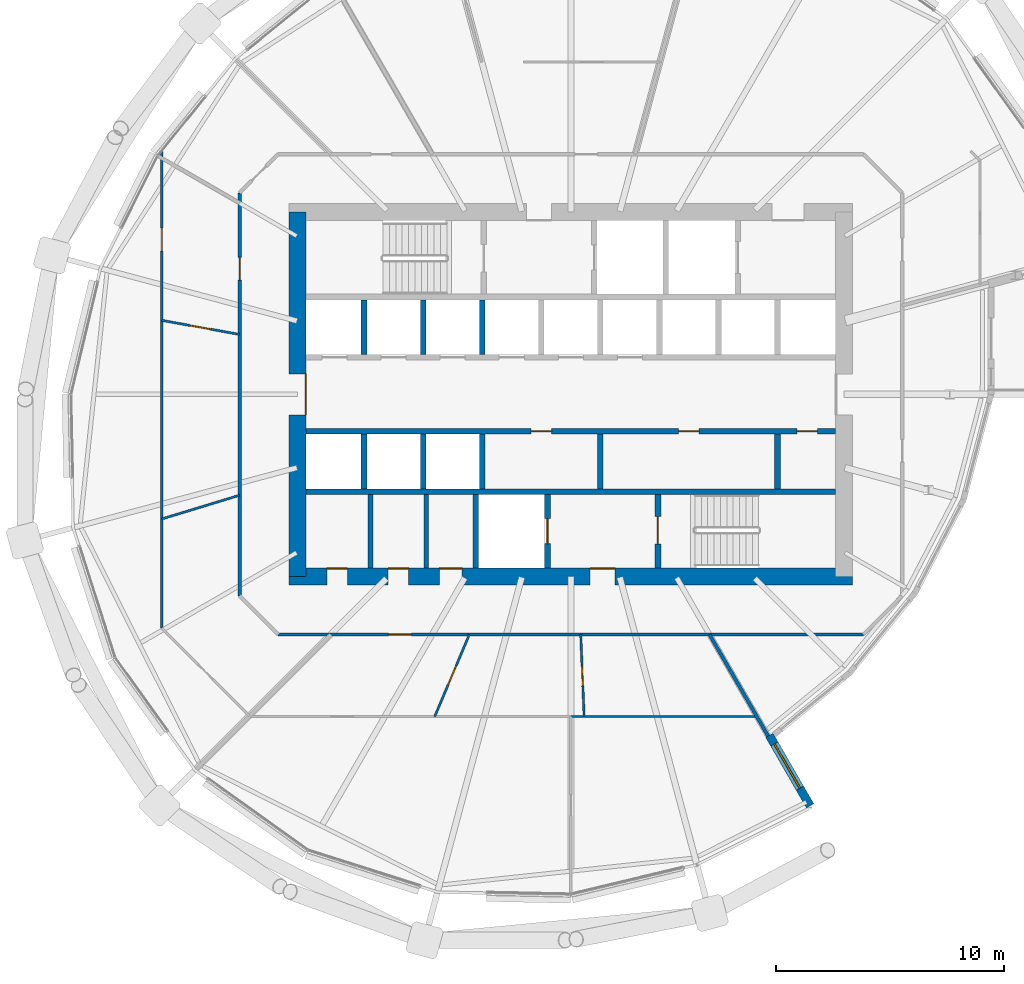
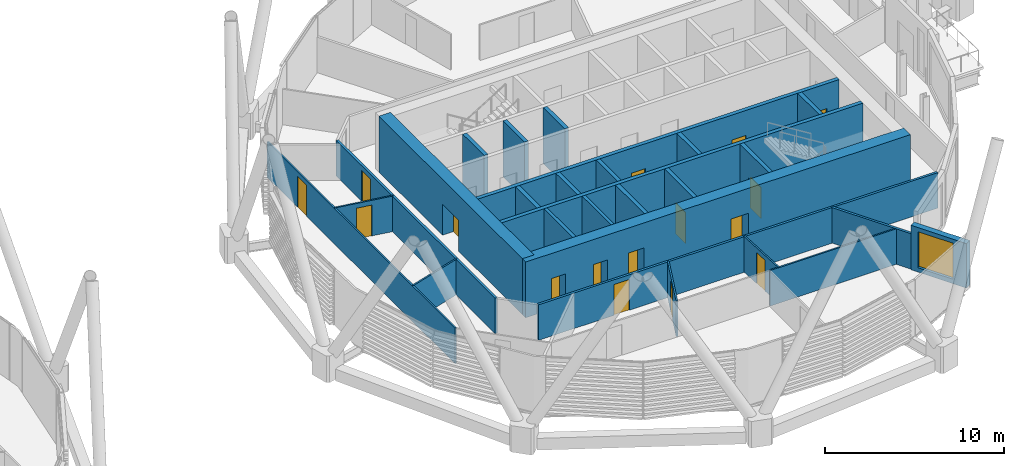
# One storey, part 28 of 38: 27 walls, 16 doors, 1 window, 17 openings.
"""IFC4 building model written with IfcOpenShell, lengths in metres."""

from ifc_helpers import new_model, si_unit, direction, frame, frame_2d, origin, place, context, subcontext, project, spatial, rectangle, extrude, material, layer, layer_set, type_object, element, fill, save


model = new_model("IFC4")

# Units and contexts
model_context = context("Model", 3, precision=1e-05, world=origin(), true_north=direction((0.0, 1.0)))
body_context = subcontext(model_context, "Body", "Model", "MODEL_VIEW")
ifc_project = project(units=[si_unit("LENGTHUNIT", "METRE"), si_unit("AREAUNIT", "SQUARE_METRE"), si_unit("VOLUMEUNIT", "CUBIC_METRE"), si_unit("PLANEANGLEUNIT", "RADIAN"), si_unit("MASSUNIT", "GRAM", prefix="KILO")], contexts=[model_context])

# Site, building, storey
site_placement = place(None, origin())
site = spatial("IfcSite", under=ifc_project, at=site_placement, CompositionType="ELEMENT")
building_placement = place(site_placement, origin())
building = spatial("IfcBuilding", under=site, at=building_placement, Name="Rimbun Link Towers", CompositionType="ELEMENT")
storey_placement = place(building_placement, frame((0.0, 0.0, 104.39990234375)))
storey = spatial("IfcBuildingStorey", under=building, at=storey_placement, Name="L25", CompositionType="ELEMENT", Elevation=104.39990234375)

# Wall, opening, window
ifc_material_1 = material(Name="Dark enamelled glass spandrel on insulated aluminium backpan", Category="aluminium")
ifc_layer_1 = layer(ifc_material_1, 0.3701171875)
ifc_layer_set_1 = layer_set([ifc_layer_1], Name="CS dark enamelled spandrel wall 370")
wall_type_1 = type_object("IfcWallType", Name="CS dark enamelled spandrel wall 370", PredefinedType="STANDARD", material=ifc_layer_set_1)
wall_1_placement = place(storey_placement, frame((40.4716796875, -14.976318359375, 0.0), z_axis=(0.0, 0.0, 1.0), x_axis=(0.500011709085, -0.866018643436, 0.0)))
wall_1 = element("IfcWall", 1, at=wall_1_placement, inside=storey, type_object=wall_type_1, Name="Crease spandrel wall", PredefinedType="STANDARD", context=body_context, shape_type="SweptSolid", body=[
    extrude(rectangle(XDim=3.580078125, YDim=0.3701171875, at=frame_2d((1.7900390625, 0.0))), origin(), (0.0, 0.0, 1.0), 3.027587890625),
])
opening_1_placement = place(wall_1_placement, frame((0.43505859375, 0.0, 0.300048828125)))
opening_1 = element("IfcOpeningElement", 2, at=opening_1_placement, cuts=wall_1, Name="Opening WR22H245", PredefinedType="OPENING", context=body_context, shape_type="SweptSolid", body=[
    extrude(rectangle(XDim=2.25, YDim=2.449951171875, at=frame_2d((1.125, 1.22509765625))), frame((0.0, 0.195068359375, 0.0), z_axis=(0.0, -1.0, 0.0), x_axis=(1.0, 0.0, 0.0)), (0.0, 0.0, 1.0), 0.39013671875),
])
ifc_material_2 = material(Name="Aluminium framed fixed window, dark tinted low-e glass", Category="aluminium")
window_type = type_object("IfcWindowType", Name="WR ribbon window 2250X2450", PartitioningType="SINGLE_PANEL", PredefinedType="WINDOW", material=ifc_material_2)
window_placement = place(opening_1_placement, origin())
window = element("IfcWindow", 3, at=window_placement, inside=storey, type_object=window_type, Name="Crease ribbon window", OverallHeight=2.449951171875, OverallWidth=2.25, PartitioningType="SINGLE_PANEL", PredefinedType="WINDOW", context=body_context, shape_type="SweptSolid", body=[
    extrude(rectangle(XDim=2.25, YDim=2.449951171875, at=frame_2d((1.125, 1.22509765625))), frame((0.0, 0.030029296875, 0.0), z_axis=(0.0, -1.0, 0.0), x_axis=(1.0, 0.0, 0.0)), (0.0, 0.0, 1.0), 0.06005859375),
])
fill(opening_1, window)

# Walls
ifc_material_3 = material(Name="Masonry blockwork", Category="masonry")
ifc_layer_2 = layer(ifc_material_3, 0.199951171875)
ifc_layer_set_2 = layer_set([ifc_layer_2], Name="Core partition 200")
wall_type_2 = type_object("IfcWallType", Name="Core partition 200", PredefinedType="PARTITIONING", material=ifc_layer_set_2)
for number, where, z_axis, x_axis, name in (
    (4, (22.949951171875, -4.39990234375, 0.0), (0.0, 0.0, 1.0), (0.0, -1.0, 0.0), "L25 T2 core wall C1"),
    (5, (25.39990234375, -4.39990234375, 0.0), (0.0, 0.0, 1.0), (0.0, -1.0, 0.0), "L25 T2 core wall C2"),
):
    element("IfcWall", number, at=place(storey_placement, frame(where, z_axis=z_axis, x_axis=x_axis)), inside=storey, type_object=wall_type_2, Name=name, PredefinedType="PARTITIONING", context=body_context, shape_type="SweptSolid", body=[
        extrude(rectangle(XDim=3.22509765625, YDim=0.199951171875, at=frame_2d((1.612548828125, 0.0))), origin(), (0.0, 0.0, 1.0), 3.800048828125),
    ])

# Wall, openings, doors
ifc_material_4 = material(Name="Concrete C60/75", Category="concrete")
ifc_layer_3 = layer(ifc_material_4, 0.75)
ifc_layer_set_3 = layer_set([ifc_layer_3], Name="Core shear wall 750")
wall_type_3 = type_object("IfcWallType", Name="Core shear wall 750", PredefinedType="SHEAR", material=ifc_layer_set_3)
wall_2_placement = place(storey_placement, frame((19.375, -8.0, 0.0), z_axis=(0.0, 0.0, 1.0), x_axis=(1.0, 0.0, 0.0)))
wall_2 = element("IfcWall", 6, at=wall_2_placement, inside=storey, type_object=wall_type_3, Name="L25 T2 core wall S", PredefinedType="SHEAR", context=body_context, shape_type="SweptSolid", body=[
    extrude(rectangle(XDim=24.75, YDim=0.75, at=frame_2d((12.375, 0.0))), origin(), (0.0, 0.0, 1.0), 3.800048828125),
])
opening_2_placement = place(wall_2_placement, frame((13.22509765625, 0.0, 0.0)))
opening_2 = element("IfcOpeningElement", 7, at=opening_2_placement, cuts=wall_2, Name="Opening C2DCF01S", PredefinedType="OPENING", context=body_context, shape_type="SweptSolid", body=[
    extrude(rectangle(XDim=1.10009765625, YDim=2.10009765625, at=frame_2d((0.550048828125, 1.050048828125))), frame((0.0, 0.385009765625, 0.0), z_axis=(0.0, -1.0, 0.0), x_axis=(1.0, 0.0, 0.0)), (0.0, 0.0, 1.0), 0.77001953125),
])
opening_3_placement = place(wall_2_placement, frame((1.66259765625, 0.0, 0.0)))
opening_3 = element("IfcOpeningElement", 8, at=opening_3_placement, cuts=wall_2, Name="Opening C2DWC02S", PredefinedType="OPENING", context=body_context, shape_type="SweptSolid", body=[
    extrude(rectangle(XDim=0.89990234375, YDim=2.10009765625, at=frame_2d((0.449951171875, 1.050048828125))), frame((0.0, 0.385009765625, 0.0), z_axis=(0.0, -1.0, 0.0), x_axis=(1.0, 0.0, 0.0)), (0.0, 0.0, 1.0), 0.77001953125),
])
opening_4_placement = place(wall_2_placement, frame((4.35009765625, 0.0, 0.0)))
opening_4 = element("IfcOpeningElement", 9, at=opening_4_placement, cuts=wall_2, Name="Opening C2DWC03S", PredefinedType="OPENING", context=body_context, shape_type="SweptSolid", body=[
    extrude(rectangle(XDim=0.89990234375, YDim=2.10009765625, at=frame_2d((0.449951171875, 1.050048828125))), frame((0.0, 0.385009765625, 0.0), z_axis=(0.0, -1.0, 0.0), x_axis=(1.0, 0.0, 0.0)), (0.0, 0.0, 1.0), 0.77001953125),
])
opening_5_placement = place(wall_2_placement, frame((6.60009765625, 0.0, 0.0)))
opening_5 = element("IfcOpeningElement", 10, at=opening_5_placement, cuts=wall_2, Name="Opening C2DAW04S", PredefinedType="OPENING", context=body_context, shape_type="SweptSolid", body=[
    extrude(rectangle(XDim=1.0, YDim=2.10009765625, at=frame_2d((0.5, 1.050048828125))), frame((0.0, 0.385009765625, 0.0), z_axis=(0.0, -1.0, 0.0), x_axis=(1.0, 0.0, 0.0)), (0.0, 0.0, 1.0), 0.77001953125),
])
ifc_material_5 = material(Name="Timber", Category="wood")
door_type_1 = type_object("IfcDoorType", Name="Accessible WC door", OperationType="SINGLE_SWING_LEFT", PredefinedType="DOOR", material=ifc_material_5)
door_1_placement = place(opening_5_placement, origin())
door_1 = element("IfcDoor", 11, at=door_1_placement, inside=storey, type_object=door_type_1, Name="L25 T2 accessible wc door", OperationType="SINGLE_SWING_RIGHT", OverallHeight=2.10009765625, OverallWidth=1.0, PredefinedType="DOOR", context=body_context, shape_type="SweptSolid", body=[
    extrude(rectangle(XDim=1.0, YDim=2.10009765625, at=frame_2d((0.5, 1.050048828125))), frame((0.0, 0.375, 0.0), z_axis=(0.0, -1.0, 0.0), x_axis=(1.0, 0.0, 0.0)), (0.0, 0.0, 1.0), 0.050048828125),
])
fill(opening_5, door_1)
ifc_material_6 = material(Name="Steel fire door set", Category="steel")
door_type_2 = type_object("IfcDoorType", Name="Core fire door single", OperationType="SINGLE_SWING_LEFT", PredefinedType="DOOR", material=ifc_material_6)
door_2_placement = place(opening_2_placement, origin())
door_2 = element("IfcDoor", 12, at=door_2_placement, inside=storey, type_object=door_type_2, Name="L25 T2 firefighting lobby s door", OperationType="SINGLE_SWING_LEFT", OverallHeight=2.10009765625, OverallWidth=1.10009765625, PredefinedType="DOOR", context=body_context, shape_type="SweptSolid", body=[
    extrude(rectangle(XDim=1.10009765625, YDim=2.10009765625, at=frame_2d((0.550048828125, 1.050048828125))), frame((0.0, 0.375, 0.0), z_axis=(0.0, -1.0, 0.0), x_axis=(1.0, 0.0, 0.0)), (0.0, 0.0, 1.0), 0.050048828125),
])
fill(opening_2, door_2)
ifc_material_7 = material(Name="Timber", Category="wood")
door_type_3 = type_object("IfcDoorType", Name="WC door", OperationType="SINGLE_SWING_LEFT", PredefinedType="DOOR", material=ifc_material_7)
door_3_placement = place(opening_3_placement, origin())
door_3 = element("IfcDoor", 13, at=door_3_placement, inside=storey, type_object=door_type_3, Name="L25 T2 male wc door", OperationType="SINGLE_SWING_RIGHT", OverallHeight=2.10009765625, OverallWidth=0.89990234375, PredefinedType="DOOR", context=body_context, shape_type="SweptSolid", body=[
    extrude(rectangle(XDim=0.89990234375, YDim=2.10009765625, at=frame_2d((0.449951171875, 1.050048828125))), frame((0.0, 0.375, 0.0), z_axis=(0.0, -1.0, 0.0), x_axis=(1.0, 0.0, 0.0)), (0.0, 0.0, 1.0), 0.050048828125),
])
fill(opening_3, door_3)
door_4_placement = place(opening_4_placement, origin())
door_4 = element("IfcDoor", 14, at=door_4_placement, inside=storey, type_object=door_type_3, Name="L25 T2 female wc door", OperationType="SINGLE_SWING_RIGHT", OverallHeight=2.10009765625, OverallWidth=0.89990234375, PredefinedType="DOOR", context=body_context, shape_type="SweptSolid", body=[
    extrude(rectangle(XDim=0.89990234375, YDim=2.10009765625, at=frame_2d((0.449951171875, 1.050048828125))), frame((0.0, 0.375, 0.0), z_axis=(0.0, -1.0, 0.0), x_axis=(1.0, 0.0, 0.0)), (0.0, 0.0, 1.0), 0.050048828125),
])
fill(opening_4, door_4)

# Wall, opening, door
wall_3_placement = place(storey_placement, frame((19.75, -8.0, 0.0), z_axis=(0.0, 0.0, 1.0), x_axis=(0.0, 1.0, 0.0)))
wall_3 = element("IfcWall", 15, at=wall_3_placement, inside=storey, type_object=wall_type_3, Name="L25 T2 core wall W", PredefinedType="SHEAR", context=body_context, shape_type="SweptSolid", body=[
    extrude(rectangle(XDim=16.0, YDim=0.75, at=frame_2d((8.0, 0.0))), origin(), (0.0, 0.0, 1.0), 3.800048828125),
])
opening_6_placement = place(wall_3_placement, frame((7.10009765625, 0.0, 0.0)))
opening_6 = element("IfcOpeningElement", 16, at=opening_6_placement, cuts=wall_3, Name="Opening C2DCL01W", PredefinedType="OPENING", context=body_context, shape_type="SweptSolid", body=[
    extrude(rectangle(XDim=1.800048828125, YDim=2.10009765625, at=frame_2d((0.89990234375, 1.050048828125))), frame((0.0, 0.385009765625, 0.0), z_axis=(0.0, -1.0, 0.0), x_axis=(1.0, 0.0, 0.0)), (0.0, 0.0, 1.0), 0.77001953125),
])
ifc_material_8 = material(Name="Steel fire door set", Category="steel")
door_type_4 = type_object("IfcDoorType", Name="Core lobby door double", OperationType="DOUBLE_DOOR_SINGLE_SWING", PredefinedType="DOOR", material=ifc_material_8)
door_5_placement = place(opening_6_placement, origin())
door_5 = element("IfcDoor", 17, at=door_5_placement, inside=storey, type_object=door_type_4, Name="L25 T2 lift lobby door", OperationType="DOUBLE_DOOR_SINGLE_SWING", OverallHeight=2.10009765625, OverallWidth=1.800048828125, PredefinedType="DOOR", context=body_context, shape_type="SweptSolid", body=[
    extrude(rectangle(XDim=1.800048828125, YDim=2.10009765625, at=frame_2d((0.89990234375, 1.050048828125))), frame((0.0, -0.3251953125, 0.0), z_axis=(0.0, -1.0, 0.0), x_axis=(1.0, 0.0, 0.0)), (0.0, 0.0, 1.0), 0.050048828125),
])
fill(opening_6, door_5)

ifc_material_9 = material(Name="Plasterboard on steel stud, mineral wool", Category="steel")
ifc_layer_4 = layer(ifc_material_9, 0.14990234375)
ifc_layer_set_4 = layer_set([ifc_layer_4], Name="Corridor wall EI 30 150 mm")
wall_type_4 = type_object("IfcWallType", Name="Corridor wall EI 30 150 mm", PredefinedType="PARTITIONING", material=ifc_layer_set_4)
wall_4_placement = place(storey_placement, frame((44.601806640625, -10.550048828125, 0.0), z_axis=(0.0, 0.0, 1.0), x_axis=(-1.0, 0.0, 0.0)))
wall_4 = element("IfcWall", 18, at=wall_4_placement, inside=storey, type_object=wall_type_4, Name="Corridor wall EI 30 150 mm", PredefinedType="PARTITIONING", context=body_context, shape_type="SweptSolid", body=[
    extrude(rectangle(XDim=25.70361328125, YDim=0.14990234375, at=frame_2d((12.851806640625, 0.0))), origin(), (0.0, 0.0, 1.0), 2.420166015625),
])
opening_7_placement = place(wall_4_placement, frame((19.855224609375, 0.0, 0.0)))
opening_7 = element("IfcOpeningElement", 19, at=opening_7_placement, cuts=wall_4, Name="Opening D01", PredefinedType="OPENING", context=body_context, shape_type="SweptSolid", body=[
    extrude(rectangle(XDim=1.0, YDim=2.10009765625, at=frame_2d((0.5, 1.050048828125))), frame((0.0, 0.0849609375, 0.0), z_axis=(0.0, -1.0, 0.0), x_axis=(1.0, 0.0, 0.0)), (0.0, 0.0, 1.0), 0.169921875),
])
ifc_material_10 = material(Name="Fire-resisting timber door leaf", Category="wood")
door_type_5 = type_object("IfcDoorType", Name="Fire door FD30S 1000", OperationType="NOTDEFINED", PredefinedType="DOOR", material=ifc_material_10)
door_6_placement = place(opening_7_placement, origin())
door_6 = element("IfcDoor", 20, at=door_6_placement, inside=storey, type_object=door_type_5, Name="Fire door FD30S 1000 to Reception", OperationType="SINGLE_SWING_RIGHT", OverallHeight=2.10009765625, OverallWidth=1.0, PredefinedType="DOOR", context=body_context, shape_type="SweptSolid", body=[
    extrude(rectangle(XDim=1.0, YDim=2.10009765625, at=frame_2d((0.5, 1.050048828125))), frame((0.0, 0.02490234375, 0.0), z_axis=(0.0, -1.0, 0.0), x_axis=(1.0, 0.0, 0.0)), (0.0, 0.0, 1.0), 0.050048828125),
])
fill(opening_7, door_6)

wall_5_placement = place(storey_placement, frame((17.199951171875, -8.851806640625, 0.0), z_axis=(0.0, 0.0, 1.0), x_axis=(0.0, 1.0, 0.0)))
wall_5 = element("IfcWall", 21, at=wall_5_placement, inside=storey, type_object=wall_type_4, Name="Corridor wall EI 30 150 mm", PredefinedType="PARTITIONING", context=body_context, shape_type="SweptSolid", body=[
    extrude(rectangle(XDim=17.70361328125, YDim=0.14990234375, at=frame_2d((8.851806640625, 0.0))), origin(), (0.0, 0.0, 1.0), 2.420166015625),
])
opening_8_placement = place(wall_5_placement, frame((13.86767578125, 0.0, 0.0)))
opening_8 = element("IfcOpeningElement", 22, at=opening_8_placement, cuts=wall_5, Name="Opening D01", PredefinedType="OPENING", context=body_context, shape_type="SweptSolid", body=[
    extrude(rectangle(XDim=1.0, YDim=2.10009765625, at=frame_2d((0.5, 1.050048828125))), frame((0.0, 0.0849609375, 0.0), z_axis=(0.0, -1.0, 0.0), x_axis=(1.0, 0.0, 0.0)), (0.0, 0.0, 1.0), 0.169921875),
])
door_7_placement = place(opening_8_placement, origin())
door_7 = element("IfcDoor", 23, at=door_7_placement, inside=storey, type_object=door_type_5, Name="Fire door FD30S 1000 to Reception", OperationType="SINGLE_SWING_LEFT", OverallHeight=2.10009765625, OverallWidth=1.0, PredefinedType="DOOR", context=body_context, shape_type="SweptSolid", body=[
    extrude(rectangle(XDim=1.0, YDim=2.10009765625, at=frame_2d((0.5, 1.050048828125))), frame((0.0, 0.02490234375, 0.0), z_axis=(0.0, -1.0, 0.0), x_axis=(1.0, 0.0, 0.0)), (0.0, 0.0, 1.0), 0.050048828125),
])
fill(opening_8, door_7)

ifc_material_11 = material(Name="Plasterboard on steel stud", Category="steel")
ifc_layer_5 = layer(ifc_material_11, 0.10009765625)
ifc_layer_set_5 = layer_set([ifc_layer_5], Name="Plasterboard partition 100 mm")
wall_type_5 = type_object("IfcWallType", Name="Plasterboard partition 100 mm", PredefinedType="PARTITIONING", material=ifc_layer_set_5)
wall_6_placement = place(storey_placement, frame((17.199951171875, 2.63134765625, 0.0), z_axis=(0.0, 0.0, 1.0), x_axis=(-0.984029121171, 0.178007552331, 0.0)))
wall_6 = element("IfcWall", 24, at=wall_6_placement, inside=storey, type_object=wall_type_5, Name="Plasterboard partition 100 mm", PredefinedType="PARTITIONING", context=body_context, shape_type="SweptSolid", body=[
    extrude(rectangle(XDim=3.475341796875, YDim=0.10009765625, at=frame_2d((1.73779296875, 0.0))), origin(), (0.0, 0.0, 1.0), 2.420166015625),
])
opening_9_placement = place(wall_6_placement, frame((1.28759765625, 0.0, 0.0)))
opening_9 = element("IfcOpeningElement", 25, at=opening_9_placement, cuts=wall_6, Name="Opening D04", PredefinedType="OPENING", context=body_context, shape_type="SweptSolid", body=[
    extrude(rectangle(XDim=0.89990234375, YDim=2.10009765625, at=frame_2d((0.449951171875, 1.050048828125))), frame((0.0, 0.06005859375, 0.0), z_axis=(0.0, -1.0, 0.0), x_axis=(1.0, 0.0, 0.0)), (0.0, 0.0, 1.0), 0.1201171875),
])
ifc_material_12 = material(Name="Timber door leaf", Category="wood")
door_type_6 = type_object("IfcDoorType", Name="Flush door 900", OperationType="NOTDEFINED", PredefinedType="DOOR", material=ifc_material_12)
door_8_placement = place(opening_9_placement, origin())
door_8 = element("IfcDoor", 26, at=door_8_placement, inside=storey, type_object=door_type_6, Name="Flush door 900 to Meeting room", OperationType="SINGLE_SWING_LEFT", OverallHeight=2.10009765625, OverallWidth=0.89990234375, PredefinedType="DOOR", context=body_context, shape_type="SweptSolid", body=[
    extrude(rectangle(XDim=0.89990234375, YDim=2.10009765625, at=frame_2d((0.449951171875, 1.050048828125))), frame((0.0, 0.02490234375, 0.0), z_axis=(0.0, -1.0, 0.0), x_axis=(1.0, 0.0, 0.0)), (0.0, 0.0, 1.0), 0.050048828125),
])
fill(opening_9, door_8)

wall_7_placement = place(storey_placement, frame((13.780029296875, -10.268310546875, 0.0), z_axis=(0.0, 0.0, 1.0), x_axis=(0.0, 1.0, 0.0)))
wall_7 = element("IfcWall", 27, at=wall_7_placement, inside=storey, type_object=wall_type_5, Name="Plasterboard partition 100 mm", PredefinedType="PARTITIONING", context=body_context, shape_type="SweptSolid", body=[
    extrude(rectangle(XDim=20.94189453125, YDim=0.10009765625, at=frame_2d((10.470947265625, 0.0))), origin(), (0.0, 0.0, 1.0), 2.420166015625),
])
opening_10_placement = place(wall_7_placement, frame((16.565673828125, 0.0, 0.0)))
opening_10 = element("IfcOpeningElement", 28, at=opening_10_placement, cuts=wall_7, Name="Opening D03", PredefinedType="OPENING", context=body_context, shape_type="SweptSolid", body=[
    extrude(rectangle(XDim=1.0, YDim=2.10009765625, at=frame_2d((0.5, 1.050048828125))), frame((0.0, 0.06005859375, 0.0), z_axis=(0.0, -1.0, 0.0), x_axis=(1.0, 0.0, 0.0)), (0.0, 0.0, 1.0), 0.1201171875),
])
ifc_material_13 = material(Name="Timber door leaf", Category="wood")
door_type_7 = type_object("IfcDoorType", Name="Flush door 1000", OperationType="NOTDEFINED", PredefinedType="DOOR", material=ifc_material_13)
door_9_placement = place(opening_10_placement, origin())
door_9 = element("IfcDoor", 29, at=door_9_placement, inside=storey, type_object=door_type_7, Name="Flush door 1000 to Open office", OperationType="SINGLE_SWING_RIGHT", OverallHeight=2.10009765625, OverallWidth=1.0, PredefinedType="DOOR", context=body_context, shape_type="SweptSolid", body=[
    extrude(rectangle(XDim=1.0, YDim=2.10009765625, at=frame_2d((0.5, 1.050048828125))), frame((0.0, 0.02490234375, 0.0), z_axis=(0.0, -1.0, 0.0), x_axis=(1.0, 0.0, 0.0)), (0.0, 0.0, 1.0), 0.050048828125),
])
fill(opening_10, door_9)

# Wall
wall_8_placement = place(storey_placement, frame((13.780029296875, -5.475341796875, 0.0), z_axis=(0.0, 0.0, 1.0), x_axis=(0.95656547639, 0.291517562729, 0.0)))
element("IfcWall", 30, at=wall_8_placement, inside=storey, type_object=wall_type_5, Name="Plasterboard partition 100 mm", PredefinedType="PARTITIONING", context=body_context, shape_type="SweptSolid", body=[
    extrude(rectangle(XDim=3.5751953125, YDim=0.10009765625, at=frame_2d((1.78759765625, 0.0))), origin(), (0.0, 0.0, 1.0), 2.420166015625),
])

# Wall, opening, door
wall_9_placement = place(storey_placement, frame((27.29296875, -10.550048828125, 0.0), z_axis=(0.0, 0.0, 1.0), x_axis=(-0.389148768178, -0.921174921622, 0.0)))
wall_9 = element("IfcWall", 31, at=wall_9_placement, inside=storey, type_object=wall_type_5, Name="Plasterboard partition 100 mm", PredefinedType="PARTITIONING", context=body_context, shape_type="SweptSolid", body=[
    extrude(rectangle(XDim=3.907958984375, YDim=0.10009765625, at=frame_2d((1.9541015625, 0.0))), origin(), (0.0, 0.0, 1.0), 2.420166015625),
])
opening_11_placement = place(wall_9_placement, frame((1.50390625, 0.0, 0.0)))
opening_11 = element("IfcOpeningElement", 32, at=opening_11_placement, cuts=wall_9, Name="Opening D04", PredefinedType="OPENING", context=body_context, shape_type="SweptSolid", body=[
    extrude(rectangle(XDim=0.89990234375, YDim=2.10009765625, at=frame_2d((0.449951171875, 1.050048828125))), frame((0.0, 0.06005859375, 0.0), z_axis=(0.0, -1.0, 0.0), x_axis=(1.0, 0.0, 0.0)), (0.0, 0.0, 1.0), 0.1201171875),
])
door_10_placement = place(opening_11_placement, origin())
door_10 = element("IfcDoor", 33, at=door_10_placement, inside=storey, type_object=door_type_6, Name="Flush door 900 to Meeting room", OperationType="SINGLE_SWING_LEFT", OverallHeight=2.10009765625, OverallWidth=0.89990234375, PredefinedType="DOOR", context=body_context, shape_type="SweptSolid", body=[
    extrude(rectangle(XDim=0.89990234375, YDim=2.10009765625, at=frame_2d((0.449951171875, 1.050048828125))), frame((0.0, 0.02490234375, 0.0), z_axis=(0.0, -1.0, 0.0), x_axis=(1.0, 0.0, 0.0)), (0.0, 0.0, 1.0), 0.050048828125),
])
fill(opening_11, door_10)

wall_10_placement = place(storey_placement, frame((32.18505859375, -10.550048828125, 0.0), z_axis=(0.0, 0.0, 1.0), x_axis=(0.041199306643, -0.999150948122, 0.0)))
wall_10 = element("IfcWall", 34, at=wall_10_placement, inside=storey, type_object=wall_type_5, Name="Plasterboard partition 100 mm", PredefinedType="PARTITIONING", context=body_context, shape_type="SweptSolid", body=[
    extrude(rectangle(XDim=3.60302734375, YDim=0.10009765625, at=frame_2d((1.801513671875, 0.0))), origin(), (0.0, 0.0, 1.0), 2.420166015625),
])
opening_12_placement = place(wall_10_placement, frame((1.3515625, 0.0, 0.0)))
opening_12 = element("IfcOpeningElement", 35, at=opening_12_placement, cuts=wall_10, Name="Opening D04", PredefinedType="OPENING", context=body_context, shape_type="SweptSolid", body=[
    extrude(rectangle(XDim=0.89990234375, YDim=2.10009765625, at=frame_2d((0.449951171875, 1.050048828125))), frame((0.0, 0.06005859375, 0.0), z_axis=(0.0, -1.0, 0.0), x_axis=(1.0, 0.0, 0.0)), (0.0, 0.0, 1.0), 0.1201171875),
])
door_11_placement = place(opening_12_placement, origin())
door_11 = element("IfcDoor", 36, at=door_11_placement, inside=storey, type_object=door_type_6, Name="Flush door 900 to Pantry", OperationType="SINGLE_SWING_LEFT", OverallHeight=2.10009765625, OverallWidth=0.89990234375, PredefinedType="DOOR", context=body_context, shape_type="SweptSolid", body=[
    extrude(rectangle(XDim=0.89990234375, YDim=2.10009765625, at=frame_2d((0.449951171875, 1.050048828125))), frame((0.0, 0.02490234375, 0.0), z_axis=(0.0, -1.0, 0.0), x_axis=(1.0, 0.0, 0.0)), (0.0, 0.0, 1.0), 0.050048828125),
])
fill(opening_12, door_11)

# Walls
wall_11_placement = place(storey_placement, frame((31.75, -14.14990234375, 0.0), z_axis=(0.0, 0.0, 1.0), x_axis=(1.0, 0.0, 0.0)))
element("IfcWall", 37, at=wall_11_placement, inside=storey, type_object=wall_type_5, Name="Plasterboard partition 100 mm", PredefinedType="PARTITIONING", context=body_context, shape_type="SweptSolid", body=[
    extrude(rectangle(XDim=8.169677734375, YDim=0.10009765625, at=frame_2d((4.0849609375, 0.0))), origin(), (0.0, 0.0, 1.0), 2.420166015625),
])
ifc_material_14 = material(Name="Concrete C60/75", Category="concrete")
ifc_layer_6 = layer(ifc_material_14, 0.25)
ifc_layer_set_6 = layer_set([ifc_layer_6], Name="Shaft wall 250")
wall_type_6 = type_object("IfcWallType", Name="Shaft wall 250", PredefinedType="SHEAR", material=ifc_layer_set_6)
wall_12_placement = place(storey_placement, frame((20.125, -4.27490234375, 0.0), z_axis=(0.0, 0.0, 1.0), x_axis=(1.0, 0.0, 0.0)))
element("IfcWall", 38, at=wall_12_placement, inside=storey, type_object=wall_type_6, Name="L25 T2 core wall BS", PredefinedType="SHEAR", context=body_context, shape_type="SweptSolid", body=[
    extrude(rectangle(XDim=23.25, YDim=0.25, at=frame_2d((11.625, 0.0))), origin(), (0.0, 0.0, 1.0), 3.800048828125),
])

# Wall, openings, doors
wall_13_placement = place(storey_placement, frame((20.125, -1.625, 0.0), z_axis=(0.0, 0.0, 1.0), x_axis=(1.0, 0.0, 0.0)))
wall_13 = element("IfcWall", 39, at=wall_13_placement, inside=storey, type_object=wall_type_6, Name="L25 T2 core wall FS", PredefinedType="SHEAR", context=body_context, shape_type="SweptSolid", body=[
    extrude(rectangle(XDim=23.25, YDim=0.25, at=frame_2d((11.625, 0.0))), origin(), (0.0, 0.0, 1.0), 3.800048828125),
])
opening_13_placement = place(wall_13_placement, frame((9.877685546875, 0.0, 0.0)))
opening_13 = element("IfcOpeningElement", 40, at=opening_13_placement, cuts=wall_13, Name="Opening C2DRS01FS", PredefinedType="OPENING", context=body_context, shape_type="SweptSolid", body=[
    extrude(rectangle(XDim=0.89990234375, YDim=2.10009765625, at=frame_2d((0.449951171875, 1.050048828125))), frame((0.0, 0.135009765625, 0.0), z_axis=(0.0, -1.0, 0.0), x_axis=(1.0, 0.0, 0.0)), (0.0, 0.0, 1.0), 0.27001953125),
])
opening_14_placement = place(wall_13_placement, frame((16.364013671875, 0.0, 0.0)))
opening_14 = element("IfcOpeningElement", 41, at=opening_14_placement, cuts=wall_13, Name="Opening C2DRS02FS", PredefinedType="OPENING", context=body_context, shape_type="SweptSolid", body=[
    extrude(rectangle(XDim=0.89990234375, YDim=2.10009765625, at=frame_2d((0.449951171875, 1.050048828125))), frame((0.0, 0.135009765625, 0.0), z_axis=(0.0, -1.0, 0.0), x_axis=(1.0, 0.0, 0.0)), (0.0, 0.0, 1.0), 0.27001953125),
])
opening_15_placement = place(wall_13_placement, frame((21.552734375, 0.0, 0.0)))
opening_15 = element("IfcOpeningElement", 42, at=opening_15_placement, cuts=wall_13, Name="Opening C2DRS03FS", PredefinedType="OPENING", context=body_context, shape_type="SweptSolid", body=[
    extrude(rectangle(XDim=0.89990234375, YDim=2.10009765625, at=frame_2d((0.449951171875, 1.050048828125))), frame((0.0, 0.135009765625, 0.0), z_axis=(0.0, -1.0, 0.0), x_axis=(1.0, 0.0, 0.0)), (0.0, 0.0, 1.0), 0.27001953125),
])
ifc_material_15 = material(Name="Steel fire door set", Category="steel")
door_type_8 = type_object("IfcDoorType", Name="Core riser door", OperationType="SINGLE_SWING_LEFT", PredefinedType="DOOR", material=ifc_material_15)
door_12_placement = place(opening_13_placement, origin())
door_12 = element("IfcDoor", 43, at=door_12_placement, inside=storey, type_object=door_type_8, Name="L25 T2 pantry door", OperationType="SINGLE_SWING_LEFT", OverallHeight=2.10009765625, OverallWidth=0.89990234375, PredefinedType="DOOR", context=body_context, shape_type="SweptSolid", body=[
    extrude(rectangle(XDim=0.89990234375, YDim=2.10009765625, at=frame_2d((0.449951171875, 1.050048828125))), frame((0.0, 0.02490234375, 0.0), z_axis=(0.0, -1.0, 0.0), x_axis=(1.0, 0.0, 0.0)), (0.0, 0.0, 1.0), 0.050048828125),
])
fill(opening_13, door_12)
door_13_placement = place(opening_14_placement, origin())
door_13 = element("IfcDoor", 44, at=door_13_placement, inside=storey, type_object=door_type_8, Name="L25 T2 wellness room door", OperationType="SINGLE_SWING_LEFT", OverallHeight=2.10009765625, OverallWidth=0.89990234375, PredefinedType="DOOR", context=body_context, shape_type="SweptSolid", body=[
    extrude(rectangle(XDim=0.89990234375, YDim=2.10009765625, at=frame_2d((0.449951171875, 1.050048828125))), frame((0.0, 0.02490234375, 0.0), z_axis=(0.0, -1.0, 0.0), x_axis=(1.0, 0.0, 0.0)), (0.0, 0.0, 1.0), 0.050048828125),
])
fill(opening_14, door_13)
door_14_placement = place(opening_15_placement, origin())
door_14 = element("IfcDoor", 45, at=door_14_placement, inside=storey, type_object=door_type_8, Name="L25 T2 staff store door", OperationType="SINGLE_SWING_LEFT", OverallHeight=2.10009765625, OverallWidth=0.89990234375, PredefinedType="DOOR", context=body_context, shape_type="SweptSolid", body=[
    extrude(rectangle(XDim=0.89990234375, YDim=2.10009765625, at=frame_2d((0.449951171875, 1.050048828125))), frame((0.0, 0.02490234375, 0.0), z_axis=(0.0, -1.0, 0.0), x_axis=(1.0, 0.0, 0.0)), (0.0, 0.0, 1.0), 0.050048828125),
])
fill(opening_15, door_14)

# Walls
for number, where, z_axis, x_axis, name in (
    (46, (22.66943359375, 1.75, 0.0), (0.0, 0.0, 1.0), (0.0, 1.0, 0.0), "L25 T2 core wall DN0"),
    (47, (25.263916015625, 1.75, 0.0), (0.0, 0.0, 1.0), (0.0, 1.0, 0.0), "L25 T2 core wall DN1"),
    (48, (27.8583984375, 1.75, 0.0), (0.0, 0.0, 1.0), (0.0, 1.0, 0.0), "L25 T2 core wall DN2"),
    (49, (22.66943359375, -4.14990234375, 0.0), (0.0, 0.0, 1.0), (0.0, 1.0, 0.0), "L25 T2 core wall DS0"),
    (50, (25.263916015625, -4.14990234375, 0.0), (0.0, 0.0, 1.0), (0.0, 1.0, 0.0), "L25 T2 core wall DS1"),
    (51, (27.8583984375, -4.14990234375, 0.0), (0.0, 0.0, 1.0), (0.0, 1.0, 0.0), "L25 T2 core wall DS2"),
    (52, (33.047119140625, -4.14990234375, 0.0), (0.0, 0.0, 1.0), (0.0, 1.0, 0.0), "L25 T2 core wall DS4"),
    (53, (40.83056640625, -4.14990234375, 0.0), (0.0, 0.0, 1.0), (0.0, 1.0, 0.0), "L25 T2 core wall DS7"),
):
    element("IfcWall", number, at=place(storey_placement, frame(where, z_axis=z_axis, x_axis=x_axis)), inside=storey, type_object=wall_type_6, Name=name, PredefinedType="SHEAR", context=body_context, shape_type="SweptSolid", body=[
        extrude(rectangle(XDim=2.39990234375, YDim=0.25, at=frame_2d((1.199951171875, 0.0))), origin(), (0.0, 0.0, 1.0), 3.800048828125),
    ])

# Wall, opening, door
wall_14_placement = place(storey_placement, frame((35.574951171875, -4.39990234375, 0.0), z_axis=(0.0, 0.0, 1.0), x_axis=(0.0, -1.0, 0.0)))
wall_14 = element("IfcWall", 54, at=wall_14_placement, inside=storey, type_object=wall_type_6, Name="L25 T2 core wall B1", PredefinedType="SHEAR", context=body_context, shape_type="SweptSolid", body=[
    extrude(rectangle(XDim=3.22509765625, YDim=0.25, at=frame_2d((1.612548828125, 0.0))), origin(), (0.0, 0.0, 1.0), 3.800048828125),
])
opening_16_placement = place(wall_14_placement, frame((0.97509765625, 0.0, 0.0)))
opening_16 = element("IfcOpeningElement", 55, at=opening_16_placement, cuts=wall_14, Name="Opening C2DST01B1", PredefinedType="OPENING", context=body_context, shape_type="SweptSolid", body=[
    extrude(rectangle(XDim=1.199951171875, YDim=2.10009765625, at=frame_2d((0.60009765625, 1.050048828125))), frame((0.0, 0.135009765625, 0.0), z_axis=(0.0, -1.0, 0.0), x_axis=(1.0, 0.0, 0.0)), (0.0, 0.0, 1.0), 0.27001953125),
])
ifc_material_16 = material(Name="Steel fire door set", Category="steel")
door_type_9 = type_object("IfcDoorType", Name="Stair door", OperationType="SINGLE_SWING_LEFT", PredefinedType="DOOR", material=ifc_material_16)
door_15_placement = place(opening_16_placement, origin())
door_15 = element("IfcDoor", 56, at=door_15_placement, inside=storey, type_object=door_type_9, Name="L25 T2 stair b door", OperationType="SINGLE_SWING_RIGHT", OverallHeight=2.10009765625, OverallWidth=1.199951171875, PredefinedType="DOOR", context=body_context, shape_type="SweptSolid", body=[
    extrude(rectangle(XDim=1.199951171875, YDim=2.10009765625, at=frame_2d((0.60009765625, 1.050048828125))), frame((0.0, 0.02490234375, 0.0), z_axis=(0.0, -1.0, 0.0), x_axis=(1.0, 0.0, 0.0)), (0.0, 0.0, 1.0), 0.050048828125),
])
fill(opening_16, door_15)

wall_15_placement = place(storey_placement, frame((30.72509765625, -4.39990234375, 0.0), z_axis=(0.0, 0.0, 1.0), x_axis=(0.0, -1.0, 0.0)))
wall_15 = element("IfcWall", 57, at=wall_15_placement, inside=storey, type_object=wall_type_6, Name="L25 T2 core wall B2", PredefinedType="SHEAR", context=body_context, shape_type="SweptSolid", body=[
    extrude(rectangle(XDim=3.22509765625, YDim=0.25, at=frame_2d((1.612548828125, 0.0))), origin(), (0.0, 0.0, 1.0), 3.800048828125),
])
opening_17_placement = place(wall_15_placement, frame((1.0625, 0.0, 0.0)))
opening_17 = element("IfcOpeningElement", 58, at=opening_17_placement, cuts=wall_15, Name="Opening LD-T2-FF2", PredefinedType="OPENING", context=body_context, shape_type="SweptSolid", body=[
    extrude(rectangle(XDim=1.10009765625, YDim=2.10009765625, at=frame_2d((0.550048828125, 1.050048828125))), frame((0.0, 0.135009765625, 0.0), z_axis=(0.0, -1.0, 0.0), x_axis=(1.0, 0.0, 0.0)), (0.0, 0.0, 1.0), 0.27001953125),
])
ifc_material_17 = material(Name="Stainless steel grade 316", Category="steel")
door_type_10 = type_object("IfcDoorType", Name="Lift landing door", OperationType="DOUBLE_DOOR_SLIDING", PredefinedType="DOOR", material=ifc_material_17)
door_16_placement = place(opening_17_placement, origin())
door_16 = element("IfcDoor", 59, at=door_16_placement, inside=storey, type_object=door_type_10, Name="L25 T2 lift FF2 landing door", OperationType="DOUBLE_DOOR_SLIDING", OverallHeight=2.10009765625, OverallWidth=1.10009765625, PredefinedType="DOOR", context=body_context, shape_type="SweptSolid", body=[
    extrude(rectangle(XDim=1.10009765625, YDim=2.10009765625, at=frame_2d((0.550048828125, 1.050048828125))), frame((0.0, 0.02490234375, 0.0), z_axis=(0.0, -1.0, 0.0), x_axis=(1.0, 0.0, 0.0)), (0.0, 0.0, 1.0), 0.050048828125),
])
fill(opening_17, door_16)

# Walls
wall_16_placement = place(storey_placement, frame((27.574951171875, -4.39990234375, 0.0), z_axis=(0.0, 0.0, 1.0), x_axis=(0.0, -1.0, 0.0)))
element("IfcWall", 60, at=wall_16_placement, inside=storey, type_object=wall_type_6, Name="L25 T2 core wall B3", PredefinedType="SHEAR", context=body_context, shape_type="SweptSolid", body=[
    extrude(rectangle(XDim=3.22509765625, YDim=0.25, at=frame_2d((1.612548828125, 0.0))), origin(), (0.0, 0.0, 1.0), 3.800048828125),
])
ifc_material_18 = material(Name="Plasterboard on steel stud, mineral wool", Category="steel")
ifc_layer_7 = layer(ifc_material_18, 0.14990234375)
ifc_layer_set_7 = layer_set([ifc_layer_7], Name="Tenancy separation wall EI 60 150 mm")
wall_type_7 = type_object("IfcWallType", Name="Tenancy separation wall EI 60 150 mm", PredefinedType="PARTITIONING", material=ifc_layer_set_7)
wall_17_placement = place(storey_placement, frame((37.841064453125, -10.550048828125, 0.0), z_axis=(0.0, 0.0, 1.0), x_axis=(0.499994737591, -0.866028442016, 0.0)))
element("IfcWall", 61, at=wall_17_placement, inside=storey, type_object=wall_type_7, Name="Tenancy separation wall EI 60 150 mm", PredefinedType="PARTITIONING", context=body_context, shape_type="SweptSolid", body=[
    extrude(rectangle(XDim=5.1484375, YDim=0.14990234375, at=frame_2d((2.57421875, 0.0))), origin(), (0.0, 0.0, 1.0), 2.420166015625),
])

save(model, "model.ifc")
